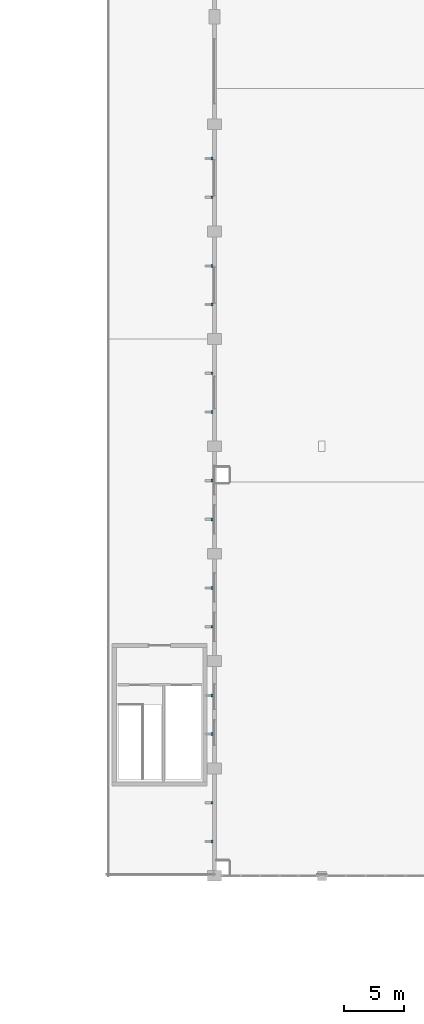
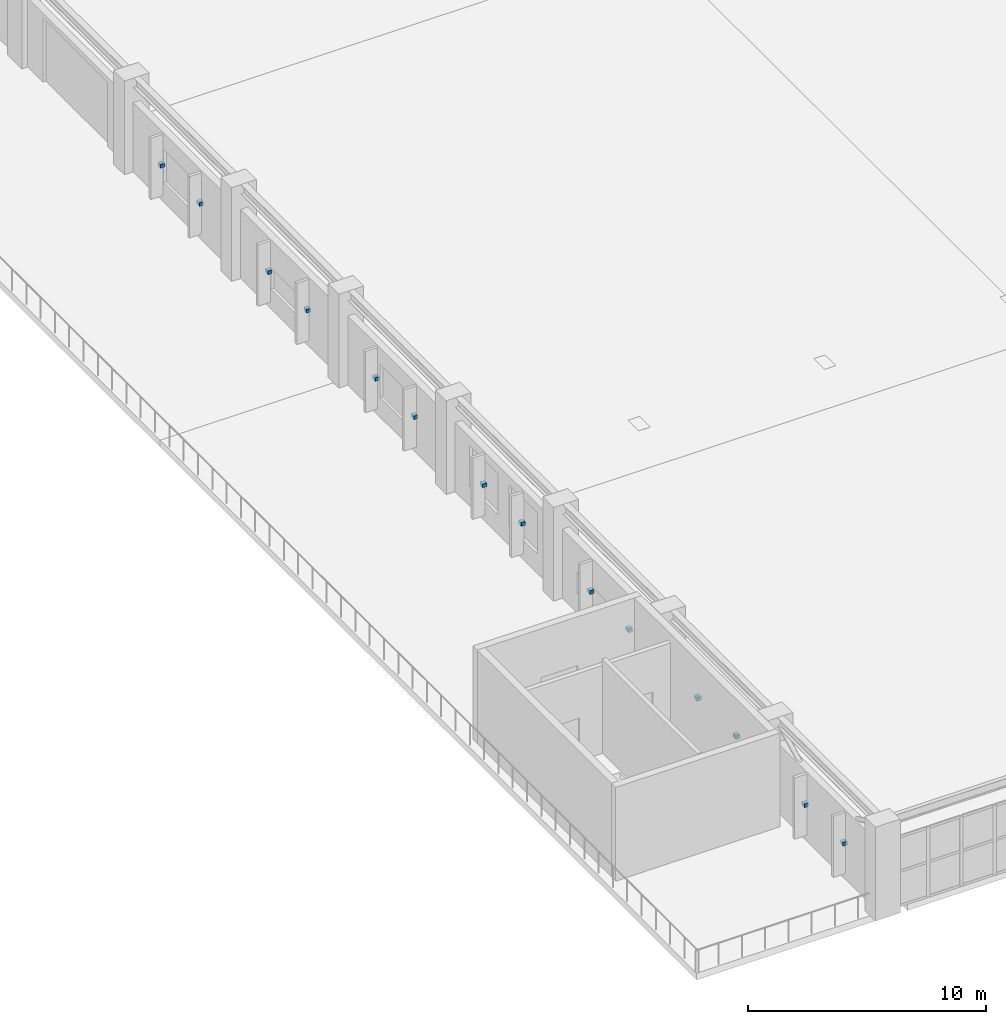
# One storey, part 70 of 89: 14 discrete accessories.
"""IFC4 building model written with IfcOpenShell, lengths in metres."""

from ifc_helpers import new_model, si_unit, direction, frame, origin, origin_2d, place, context, subcontext, project, spatial, rectangle, extrude, material, layer, layer_set, type_object, element, save


model = new_model("IFC4")

# Units and contexts
model_context = context("Model", 3, precision=1e-05, world=origin(), true_north=direction((0.0, 1.0)))
body_context = subcontext(model_context, "Body", "Model", "MODEL_VIEW")
ifc_project = project(units=[si_unit("LENGTHUNIT", "METRE"), si_unit("AREAUNIT", "SQUARE_METRE"), si_unit("VOLUMEUNIT", "CUBIC_METRE"), si_unit("PLANEANGLEUNIT", "RADIAN"), si_unit("MASSUNIT", "GRAM", prefix="KILO")], contexts=[model_context])

# Site, building, storey
site_placement = place(None, origin())
site = spatial("IfcSite", under=ifc_project, at=site_placement, CompositionType="ELEMENT")
building_placement = place(site_placement, origin())
building = spatial("IfcBuilding", under=site, at=building_placement, Name="Dornveld Trade and Exhibition Forum", CompositionType="ELEMENT")
storey_placement = place(building_placement, frame((0.0, 0.0, 12.0)))
storey = spatial("IfcBuildingStorey", under=building, at=storey_placement, Name="L02", CompositionType="ELEMENT", Elevation=12.0)

# Discrete accessories
ifc_material = material(Name="Steel S355J2", Category="steel")
ifc_layer = layer(ifc_material, 0.179931640625)
ifc_layer_set = layer_set([ifc_layer], Name="Steel S355J2")
discrete_accessory_type = type_object("IfcDiscreteAccessoryType", Name="ACC-BRK-STL", PredefinedType="BRACKET", material=ifc_layer_set)
for number, where, z_axis, x_axis, name in (
    (1, (26.7900390625, 42.1201171875, 1.7802734375), (0.0, 0.0, 1.0), (0.0, -1.0, 0.0), "L02 solar fin bracket 23"),
    (2, (26.7900390625, 38.8798828125, 1.7802734375), (0.0, 0.0, 1.0), (0.0, -1.0, 0.0), "L02 solar fin bracket 24"),
    (3, (26.7900390625, 51.1201171875, 1.7802734375), (0.0, 0.0, 1.0), (0.0, -1.0, 0.0), "L02 solar fin bracket 31"),
    (4, (26.7900390625, 47.8798828125, 1.7802734375), (0.0, 0.0, 1.0), (0.0, -1.0, 0.0), "L02 solar fin bracket 32"),
    (5, (26.7900390625, 60.1201171875, 1.7802734375), (0.0, 0.0, 1.0), (0.0, -1.0, 0.0), "L02 solar fin bracket 39"),
    (6, (26.7900390625, 56.8798828125, 1.7802734375), (0.0, 0.0, 1.0), (0.0, -1.0, 0.0), "L02 solar fin bracket 40"),
    (7, (26.7900390625, 69.1201171875, 1.7802734375), (0.0, 0.0, 1.0), (0.0, -1.0, 0.0), "L02 solar fin bracket 47"),
    (8, (26.7900390625, 65.8798828125, 1.7802734375), (0.0, 0.0, 1.0), (0.0, -1.0, 0.0), "L02 solar fin bracket 48"),
    (9, (26.7900390625, 78.1201171875, 1.7802734375), (0.0, 0.0, 1.0), (0.0, -1.0, 0.0), "L02 solar fin bracket 55"),
    (10, (26.7900390625, 74.8798828125, 1.7802734375), (0.0, 0.0, 1.0), (0.0, -1.0, 0.0), "L02 solar fin bracket 56"),
    (11, (26.7900390625, 87.1201171875, 1.7802734375), (0.0, 0.0, 1.0), (0.0, -1.0, 0.0), "L02 solar fin bracket 63"),
    (12, (26.7900390625, 83.8798828125, 1.7802734375), (0.0, 0.0, 1.0), (0.0, -1.0, 0.0), "L02 solar fin bracket 64"),
    (13, (26.7900390625, 96.1201171875, 1.7802734375), (0.0, 0.0, 1.0), (0.0, -1.0, 0.0), "L02 solar fin bracket 71"),
    (14, (26.7900390625, 92.8798828125, 1.7802734375), (0.0, 0.0, 1.0), (0.0, -1.0, 0.0), "L02 solar fin bracket 72"),
):
    element("IfcDiscreteAccessory", number, at=place(storey_placement, frame(where, z_axis=z_axis, x_axis=x_axis)), inside=storey, type_object=discrete_accessory_type, Name=name, PredefinedType="BRACKET", context=body_context, shape_type="SweptSolid", body=[
        extrude(rectangle(XDim=0.239990234375, YDim=0.199951171875, at=origin_2d()), origin(), (0.0, 0.0, 1.0), 0.179931640625),
    ])

save(model, "model.ifc")
